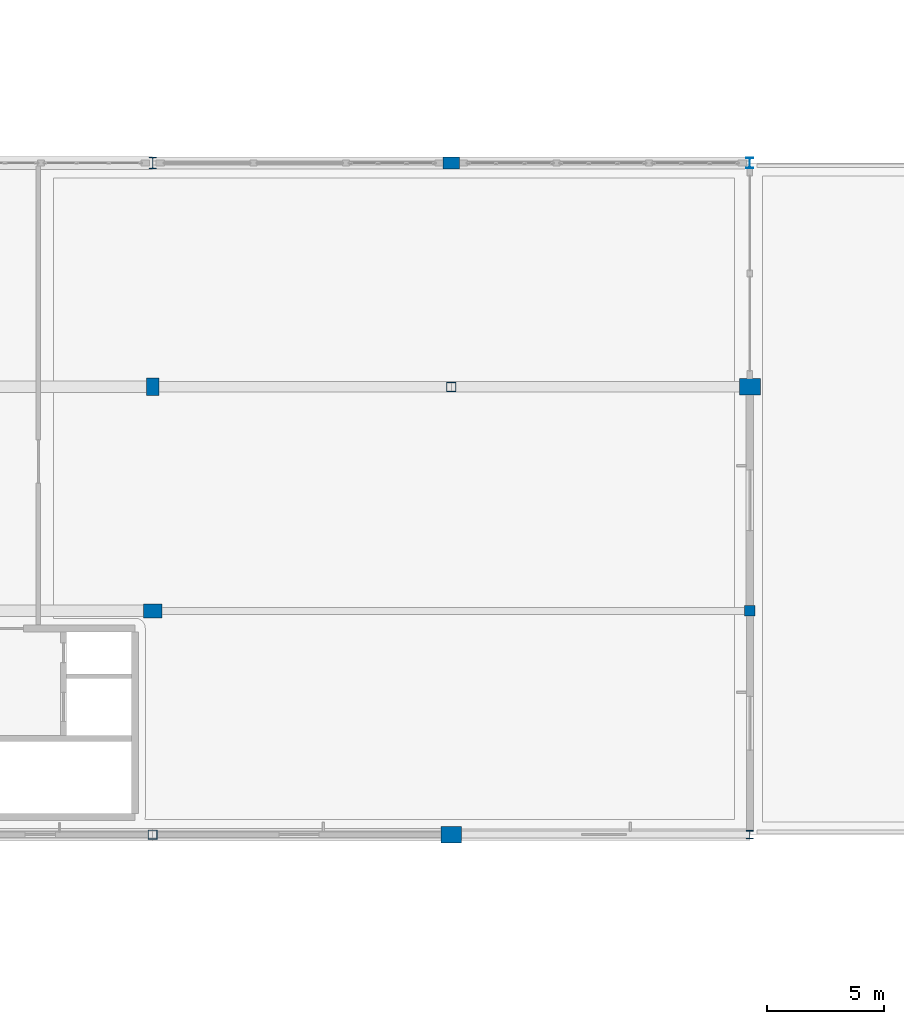
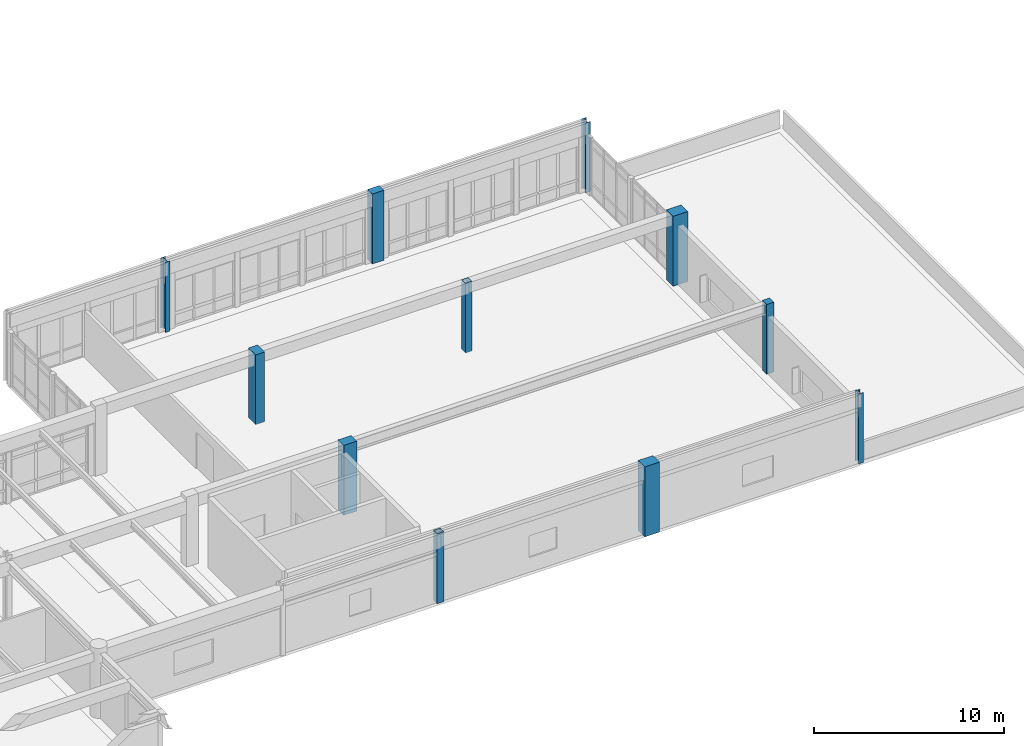
# One storey, part 9 of 80: 11 columns.
"""IFC4 building model written with IfcOpenShell, lengths in metres."""

from ifc_helpers import new_model, si_unit, direction, frame, origin, origin_2d, place, context, subcontext, project, spatial, rectangle, hollow_rectangle, i_section, extrude, material, material_profile, profile_set, type_object, element, save


model = new_model("IFC4")

# Units and contexts
model_context = context("Model", 3, precision=1e-05, world=origin(), true_north=direction((0.0, 1.0)))
body_context = subcontext(model_context, "Body", "Model", "MODEL_VIEW")
ifc_project = project(units=[si_unit("LENGTHUNIT", "METRE"), si_unit("AREAUNIT", "SQUARE_METRE"), si_unit("VOLUMEUNIT", "CUBIC_METRE"), si_unit("PLANEANGLEUNIT", "RADIAN"), si_unit("MASSUNIT", "GRAM", prefix="KILO")], contexts=[model_context])

# Site, building, storey
site_placement = place(None, origin())
site = spatial("IfcSite", under=ifc_project, at=site_placement, CompositionType="ELEMENT")
building_placement = place(site_placement, origin())
building = spatial("IfcBuilding", under=site, at=building_placement, Name="Fikremerkos Civic Library", CompositionType="ELEMENT")
storey_placement = place(building_placement, frame((0.0, 0.0, 9.89990234375)))
storey = spatial("IfcBuildingStorey", under=building, at=storey_placement, Name="L02", CompositionType="ELEMENT", Elevation=9.89990234375)

# Columns
ifc_material_1 = material(Name="Concrete C40/50", Category="concrete")
ifc_material_profile_1 = material_profile(ifc_material_1, rectangle(XDim=0.449951171875, YDim=0.449951171875, at=origin_2d()), Name="RC 450x450")
ifc_profile_set_1 = profile_set([ifc_material_profile_1], Name="Concrete C40/50")
column_type_1 = type_object("IfcColumnType", Name="Structural column COL-12 RC 450x450", PredefinedType="COLUMN", material=ifc_profile_set_1)
column_1_placement = place(storey_placement, frame((160.0, 21.60009765625, 0.0), z_axis=(0.0, 0.0, 1.0), x_axis=(1.0, 0.0, 0.0)))
element("IfcColumn", 1, at=column_1_placement, inside=storey, type_object=column_type_1, Name="Column COL-12 L02 14/F", PredefinedType="COLUMN", context=body_context, shape_type="SweptSolid", body=[
    extrude(rectangle(XDim=0.449951171875, YDim=0.449951171875, at=origin_2d()), origin(), (0.0, 0.0, 1.0), 4.5),
])
ifc_material_profile_2 = material_profile(ifc_material_1, rectangle(XDim=0.89990234375, YDim=0.699951171875, at=origin_2d()), Name="RC 900x700")
ifc_profile_set_2 = profile_set([ifc_material_profile_2], Name="Concrete C40/50")
column_type_2 = type_object("IfcColumnType", Name="Structural column COL-13 RC 900x700", PredefinedType="COLUMN", material=ifc_profile_set_2)
for number, where, z_axis, x_axis, name in (
    (2, (147.199951171875, 12.0, 0.0), (0.0, 0.0, 1.0), (1.0, 0.0, 0.0), "Column COL-13 L02 13/E"),
    (3, (160.0, 31.199951171875, 0.0), (0.0, 0.0, 1.0), (1.0, 0.0, 0.0), "Column COL-13 L02 14/G"),
):
    element("IfcColumn", number, at=place(storey_placement, frame(where, z_axis=z_axis, x_axis=x_axis)), inside=storey, type_object=column_type_2, Name=name, PredefinedType="COLUMN", context=body_context, shape_type="SweptSolid", body=[
        extrude(rectangle(XDim=0.89990234375, YDim=0.699951171875, at=origin_2d()), origin(), (0.0, 0.0, 1.0), 4.5),
    ])
ifc_material_profile_3 = material_profile(ifc_material_1, rectangle(XDim=0.800048828125, YDim=0.60009765625, at=origin_2d()), Name="RC 800x600")
ifc_profile_set_3 = profile_set([ifc_material_profile_3], Name="Concrete C40/50")
column_type_3 = type_object("IfcColumnType", Name="Structural column COL-14 RC 800x600", PredefinedType="COLUMN", material=ifc_profile_set_3)
column_2_placement = place(storey_placement, frame((134.39990234375, 21.60009765625, 0.0), z_axis=(0.0, 0.0, 1.0), x_axis=(1.0, 0.0, 0.0)))
element("IfcColumn", 4, at=column_2_placement, inside=storey, type_object=column_type_3, Name="Column COL-14 L02 12/F", PredefinedType="COLUMN", context=body_context, shape_type="SweptSolid", body=[
    extrude(rectangle(XDim=0.800048828125, YDim=0.60009765625, at=origin_2d()), origin(), (0.0, 0.0, 1.0), 4.5),
])
ifc_material_profile_4 = material_profile(ifc_material_1, rectangle(XDim=0.75, YDim=0.550048828125, at=origin_2d()), Name="RC 750x550")
ifc_profile_set_4 = profile_set([ifc_material_profile_4], Name="Concrete C40/50")
column_type_4 = type_object("IfcColumnType", Name="Structural column COL-15 RC 750x550", PredefinedType="COLUMN", material=ifc_profile_set_4)
column_3_placement = place(storey_placement, frame((134.39990234375, 31.199951171875, 0.0), z_axis=(0.0, 0.0, 1.0), x_axis=(0.0, 1.0, 0.0)))
element("IfcColumn", 5, at=column_3_placement, inside=storey, type_object=column_type_4, Name="Column COL-15 L02 12/G", PredefinedType="COLUMN", context=body_context, shape_type="SweptSolid", body=[
    extrude(rectangle(XDim=0.75, YDim=0.550048828125, at=origin_2d()), origin(), (0.0, 0.0, 1.0), 4.5),
])
ifc_material_profile_5 = material_profile(ifc_material_1, rectangle(XDim=0.699951171875, YDim=0.5, at=origin_2d()), Name="RC 700x500")
ifc_profile_set_5 = profile_set([ifc_material_profile_5], Name="Concrete C40/50")
column_type_5 = type_object("IfcColumnType", Name="Structural column COL-16 RC 700x500", PredefinedType="COLUMN", material=ifc_profile_set_5)
column_4_placement = place(storey_placement, frame((147.199951171875, 40.800048828125, 0.0), z_axis=(0.0, 0.0, 1.0), x_axis=(1.0, 0.0, 0.0)))
element("IfcColumn", 6, at=column_4_placement, inside=storey, type_object=column_type_5, Name="Column COL-16 L02 13/H", PredefinedType="COLUMN", context=body_context, shape_type="SweptSolid", body=[
    extrude(rectangle(XDim=0.699951171875, YDim=0.5, at=origin_2d()), origin(), (0.0, 0.0, 1.0), 4.5),
])
ifc_material_2 = material(Name="Steel S355", Category="steel")
ifc_material_profile_6 = material_profile(ifc_material_2, i_section(OverallWidth=0.300048828125, OverallDepth=0.5, WebThickness=0.014404296875, FlangeThickness=0.028076171875, FilletRadius=0.027099609375, at=origin_2d()), Name="HEB 500")
ifc_profile_set_6 = profile_set([ifc_material_profile_6], Name="Steel S355")
column_type_6 = type_object("IfcColumnType", Name="Structural column COL-22 HEB 500", PredefinedType="COLUMN", material=ifc_profile_set_6)
column_5_placement = place(storey_placement, frame((134.39990234375, 40.800048828125, 0.0), z_axis=(0.0, 0.0, 1.0), x_axis=(1.0, 0.0, 0.0)))
element("IfcColumn", 7, at=column_5_placement, inside=storey, type_object=column_type_6, Name="Column COL-22 L02 12/H", PredefinedType="COLUMN", context=body_context, shape_type="SweptSolid", body=[
    extrude(i_section(OverallWidth=0.300048828125, OverallDepth=0.5, WebThickness=0.014404296875, FlangeThickness=0.028076171875, FilletRadius=0.027099609375, at=origin_2d()), origin(), (0.0, 0.0, 1.0), 4.5),
])
ifc_material_profile_7 = material_profile(ifc_material_2, i_section(OverallWidth=0.300048828125, OverallDepth=0.360107421875, WebThickness=0.012451171875, FlangeThickness=0.0224609375, FilletRadius=0.027099609375, at=origin_2d()), Name="HEB 360")
ifc_profile_set_7 = profile_set([ifc_material_profile_7], Name="Steel S355")
column_type_7 = type_object("IfcColumnType", Name="Structural column COL-25 HEB 360", PredefinedType="COLUMN", material=ifc_profile_set_7)
column_6_placement = place(storey_placement, frame((160.0, 12.0, 0.0), z_axis=(0.0, 0.0, 1.0), x_axis=(1.0, 0.0, 0.0)))
element("IfcColumn", 8, at=column_6_placement, inside=storey, type_object=column_type_7, Name="Column COL-25 L02 14/E", PredefinedType="COLUMN", context=body_context, shape_type="SweptSolid", body=[
    extrude(i_section(OverallWidth=0.300048828125, OverallDepth=0.360107421875, WebThickness=0.012451171875, FlangeThickness=0.0224609375, FilletRadius=0.027099609375, at=origin_2d()), origin(), (0.0, 0.0, 1.0), 4.5),
])
ifc_material_profile_8 = material_profile(ifc_material_2, i_section(OverallWidth=0.300048828125, OverallDepth=0.43994140625, WebThickness=0.011474609375, FlangeThickness=0.02099609375, FilletRadius=0.027099609375, at=origin_2d()), Name="HEA 450")
ifc_profile_set_8 = profile_set([ifc_material_profile_8], Name="Steel S355")
column_type_8 = type_object("IfcColumnType", Name="Structural column COL-28 HEA 450", PredefinedType="COLUMN", material=ifc_profile_set_8)
column_7_placement = place(storey_placement, frame((160.0, 40.800048828125, 0.0), z_axis=(0.0, 0.0, 1.0), x_axis=(1.0, 0.0, 0.0)))
element("IfcColumn", 9, at=column_7_placement, inside=storey, type_object=column_type_8, Name="Column COL-28 L02 14/H", PredefinedType="COLUMN", context=body_context, shape_type="SweptSolid", body=[
    extrude(i_section(OverallWidth=0.300048828125, OverallDepth=0.43994140625, WebThickness=0.011474609375, FlangeThickness=0.02099609375, FilletRadius=0.027099609375, at=origin_2d()), origin(), (0.0, 0.0, 1.0), 4.5),
])
ifc_material_profile_9 = material_profile(ifc_material_2, hollow_rectangle(XDim=0.39990234375, YDim=0.39990234375, WallThickness=0.01611328125, at=origin_2d()), Name="SHS 400x400x16")
ifc_profile_set_9 = profile_set([ifc_material_profile_9], Name="Steel S355")
column_type_9 = type_object("IfcColumnType", Name="Structural column COL-31 SHS 400x400x16", PredefinedType="COLUMN", material=ifc_profile_set_9)
for number, where, z_axis, x_axis, name in (
    (10, (134.39990234375, 12.0, 0.0), (0.0, 0.0, 1.0), (1.0, 0.0, 0.0), "Column COL-31 L02 12/E"),
    (11, (147.199951171875, 31.199951171875, 0.0), (0.0, 0.0, 1.0), (1.0, 0.0, 0.0), "Column COL-31 L02 13/G"),
):
    element("IfcColumn", number, at=place(storey_placement, frame(where, z_axis=z_axis, x_axis=x_axis)), inside=storey, type_object=column_type_9, Name=name, PredefinedType="COLUMN", context=body_context, shape_type="SweptSolid", body=[
        extrude(hollow_rectangle(XDim=0.39990234375, YDim=0.39990234375, WallThickness=0.01611328125, at=origin_2d()), origin(), (0.0, 0.0, 1.0), 4.5),
    ])

save(model, "model.ifc")
